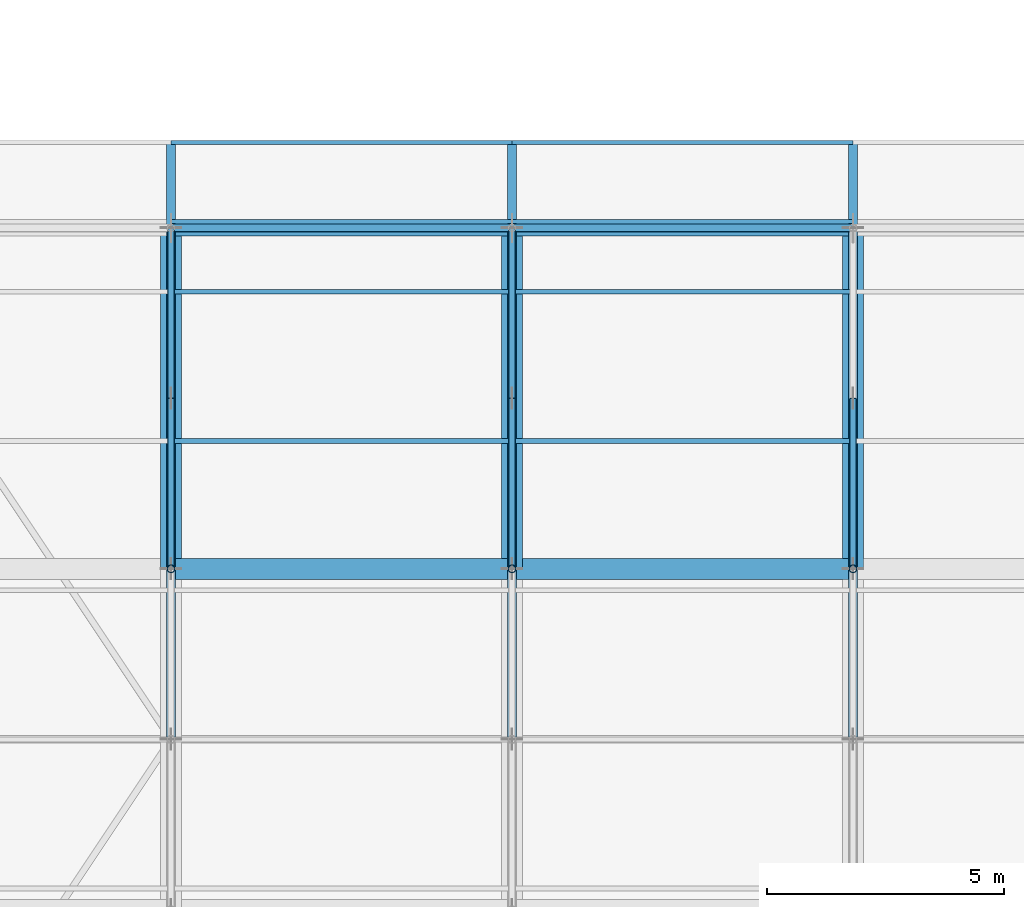
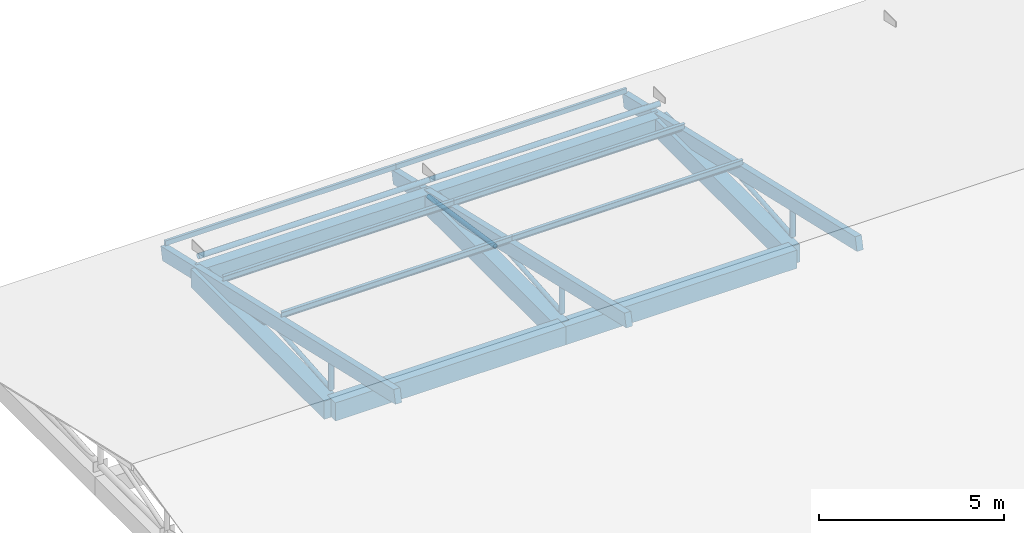
# One storey, part 56 of 93: 19 members, 7 beams.
"""IFC4 building model written with IfcOpenShell, lengths in metres."""

from ifc_helpers import new_model, si_unit, direction, frame, origin, origin_2d, place, context, subcontext, project, spatial, rectangle, hollow_rectangle, hollow_circle, i_section, extrude, material, material_profile, profile_set, type_object, element, save


model = new_model("IFC4")

# Units and contexts
model_context = context("Model", 3, precision=1e-05, world=origin(), true_north=direction((0.0, 1.0)))
body_context = subcontext(model_context, "Body", "Model", "MODEL_VIEW")
ifc_project = project(units=[si_unit("LENGTHUNIT", "METRE"), si_unit("AREAUNIT", "SQUARE_METRE"), si_unit("VOLUMEUNIT", "CUBIC_METRE"), si_unit("PLANEANGLEUNIT", "RADIAN"), si_unit("MASSUNIT", "GRAM", prefix="KILO")], contexts=[model_context])

# Site, building, storey
site_placement = place(None, origin())
site = spatial("IfcSite", under=ifc_project, at=site_placement, CompositionType="ELEMENT")
building_placement = place(site_placement, origin())
building = spatial("IfcBuilding", under=site, at=building_placement, Name="Zornivar Specialist Clinic", CompositionType="ELEMENT")
storey_placement = place(building_placement, frame((0.0, 0.0, 8.39990234375)))
storey = spatial("IfcBuildingStorey", under=building, at=storey_placement, Name="L02", CompositionType="ELEMENT", Elevation=8.39990234375)

# Beams
ifc_material_1 = material(Name="Concrete C30/37", Category="concrete")
ifc_material_profile_1 = material_profile(ifc_material_1, rectangle(XDim=0.43994140625, YDim=0.60009765625, at=origin_2d()), Name="RC 440x600")
ifc_profile_set_1 = profile_set([ifc_material_profile_1], Name="Concrete C30/37")
beam_type_1 = type_object("IfcBeamType", Name="BM-RC-440x600", PredefinedType="BEAM", material=ifc_profile_set_1)
for number, where, z_axis, x_axis, name in (
    (1, (129.60009765625, 14.39990234375, -0.2998046875), (1.0, 0.0, 0.0), (0.0, 1.0, 0.0), "bm:V4:L02:x:144:1"),
    (2, (136.800048828125, 14.39990234375, -0.2998046875), (1.0, 0.0, 0.0), (0.0, 1.0, 0.0), "bm:V4:L02:x:144:2"),
):
    element("IfcBeam", number, at=place(storey_placement, frame(where, z_axis=z_axis, x_axis=x_axis)), inside=storey, type_object=beam_type_1, Name=name, PredefinedType="BEAM", context=body_context, shape_type="SweptSolid", body=[
        extrude(rectangle(XDim=0.43994140625, YDim=0.60009765625, at=origin_2d()), origin(), (0.0, 0.0, 1.0), 7.199951171875),
    ])
for number, where, z_axis, x_axis, name in (
    (3, (129.60009765625, 14.39990234375, -0.2998046875), (0.0, 1.0, 0.0), (-1.0, 0.0, 0.0), "bm:V4:L02:y:1296:2"),
    (4, (136.800048828125, 14.39990234375, -0.2998046875), (0.0, 1.0, 0.0), (-1.0, 0.0, 0.0), "bm:V4:L02:y:1368:2"),
    (5, (144.0, 14.39990234375, -0.2998046875), (0.0, 1.0, 0.0), (-1.0, 0.0, 0.0), "bm:V4:L02:y:1440:2"),
):
    element("IfcBeam", number, at=place(storey_placement, frame(where, z_axis=z_axis, x_axis=x_axis)), inside=storey, type_object=beam_type_1, Name=name, PredefinedType="BEAM", context=body_context, shape_type="SweptSolid", body=[
        extrude(rectangle(XDim=0.43994140625, YDim=0.60009765625, at=origin_2d()), origin(), (0.0, 0.0, 1.0), 7.2001953125),
    ])
ifc_material_2 = material(Name="Concrete C30/37", Category="concrete")
ifc_material_profile_2 = material_profile(ifc_material_2, rectangle(XDim=0.35009765625, YDim=0.60009765625, at=origin_2d()), Name="RC 350x600")
ifc_profile_set_2 = profile_set([ifc_material_profile_2], Name="Concrete C30/37")
beam_type_2 = type_object("IfcBeamType", Name="BM-RC-SPANDREL-350x600", PredefinedType="SPANDREL", material=ifc_profile_set_2)
for number, where, z_axis, x_axis, name in (
    (6, (129.60009765625, 21.60009765625, -0.2998046875), (1.0, 0.0, 0.0), (0.0, 1.0, 0.0), "bm:V4:L02:x:216:1"),
    (7, (136.800048828125, 21.60009765625, -0.2998046875), (1.0, 0.0, 0.0), (0.0, 1.0, 0.0), "bm:V4:L02:x:216:2"),
):
    element("IfcBeam", number, at=place(storey_placement, frame(where, z_axis=z_axis, x_axis=x_axis)), inside=storey, type_object=beam_type_2, Name=name, PredefinedType="SPANDREL", context=body_context, shape_type="SweptSolid", body=[
        extrude(rectangle(XDim=0.35009765625, YDim=0.60009765625, at=origin_2d()), origin(), (0.0, 0.0, 1.0), 7.199951171875),
    ])

# Members
ifc_material_3 = material(Name="Steel S355J2", Category="steel")
ifc_material_profile_3 = material_profile(ifc_material_3, hollow_circle(Radius=0.06982421875, WallThickness=0.008056640625, at=origin_2d()), Name="CHS 139.7x8")
ifc_profile_set_3 = profile_set([ifc_material_profile_3], Name="Steel S355J2")
member_type_1 = type_object("IfcMemberType", Name="MEM-DIAG-CHS140", PredefinedType="BRACE", material=ifc_profile_set_3)
for number, where, z_axis, x_axis, name in (
    (8, (129.60009765625, 14.39990234375, 0.340087890625), (0.0, 0.996883055642, 0.078893430485), (-1.0, 0.0, 0.0), "mem:V4:L02:diag:1:N:1"),
    (9, (136.800048828125, 14.39990234375, 0.340087890625), (0.0, 0.996883055642, 0.078893430485), (-1.0, 0.0, 0.0), "mem:V4:L02:diag:2:N:1"),
    (10, (144.0, 14.39990234375, 0.340087890625), (0.0, 0.996883055642, 0.078893430485), (-1.0, 0.0, 0.0), "mem:V4:L02:diag:3:N:1"),
):
    element("IfcMember", number, at=place(storey_placement, frame(where, z_axis=z_axis, x_axis=x_axis)), inside=storey, type_object=member_type_1, Name=name, PredefinedType="BRACE", context=body_context, shape_type="SweptSolid", body=[
        extrude(hollow_circle(Radius=0.06982421875, WallThickness=0.008056640625, at=origin_2d()), origin(), (0.0, 0.0, 1.0), 3.611328125),
    ])
ifc_material_4 = material(Name="Steel S355J2", Category="steel")
ifc_material_profile_4 = material_profile(ifc_material_4, hollow_circle(Radius=0.06982421875, WallThickness=0.010009765625, at=origin_2d()), Name="CHS 139.7x10")
ifc_profile_set_4 = profile_set([ifc_material_profile_4], Name="Steel S355J2")
member_type_2 = type_object("IfcMemberType", Name="MEM-DIAG-CHS140H", PredefinedType="BRACE", material=ifc_profile_set_4)
for number, where, z_axis, x_axis, name in (
    (11, (129.60009765625, 18.0, 0.340087890625), (0.0, 0.988817004891, -0.149133935906), (-1.0, 0.0, 0.0), "mem:V4:L02:diag:1:N:2"),
    (12, (136.800048828125, 18.0, 0.340087890625), (0.0, 0.988817004891, -0.149133935906), (-1.0, 0.0, 0.0), "mem:V4:L02:diag:2:N:2"),
):
    element("IfcMember", number, at=place(storey_placement, frame(where, z_axis=z_axis, x_axis=x_axis)), inside=storey, type_object=member_type_2, Name=name, PredefinedType="BRACE", context=body_context, shape_type="SweptSolid", body=[
        extrude(hollow_circle(Radius=0.06982421875, WallThickness=0.010009765625, at=origin_2d()), origin(), (0.0, 0.0, 1.0), 3.640869140625),
    ])
ifc_material_5 = material(Name="Steel S355J2", Category="steel")
ifc_material_profile_5 = material_profile(ifc_material_5, hollow_rectangle(XDim=0.080078125, YDim=0.159912109375, WallThickness=0.008056640625, at=origin_2d()), Name="RHS 160x80x8")
ifc_profile_set_5 = profile_set([ifc_material_profile_5], Name="Steel S355J2")
member_type_3 = type_object("IfcMemberType", Name="MEM-EAVE-RHS160", PredefinedType="USERDEFINED", material=ifc_profile_set_5)
for number, where, z_axis, x_axis, name in (
    (13, (129.60009765625, 23.39990234375, -0.305908203125), (1.0, 0.0, 0.0), (0.0, 1.0, 0.0), "mem:V4:L02:purl:1:08"),
    (14, (136.800048828125, 23.39990234375, -0.305908203125), (1.0, 0.0, 0.0), (0.0, 1.0, 0.0), "mem:V4:L02:purl:2:08"),
):
    element("IfcMember", number, at=place(storey_placement, frame(where, z_axis=z_axis, x_axis=x_axis)), inside=storey, type_object=member_type_3, Name=name, ObjectType="EAVE RAFTER", PredefinedType="USERDEFINED", context=body_context, shape_type="SweptSolid", body=[
        extrude(hollow_rectangle(XDim=0.080078125, YDim=0.159912109375, WallThickness=0.008056640625, at=origin_2d()), origin(), (0.0, 0.0, 1.0), 7.199951171875),
    ])
ifc_material_6 = material(Name="Steel S355J2", Category="steel")
ifc_material_profile_6 = material_profile(ifc_material_6, i_section(OverallWidth=0.10009765625, OverallDepth=0.199951171875, WebThickness=0.005615234375, FlangeThickness=0.008544921875, FilletRadius=0.011962890625, at=origin_2d()), Name="IPE 200")
ifc_profile_set_6 = profile_set([ifc_material_profile_6], Name="Steel S355J2")
member_type_4 = type_object("IfcMemberType", Name="MEM-PURLIN-IPE200", PredefinedType="PURLIN", material=ifc_profile_set_6)
for number, where, z_axis, x_axis, name in (
    (15, (129.60009765625, 17.10009765625, 1.14404296875), (1.0, 0.0, 0.0), (0.0, 1.0, 0.0), "mem:V4:L02:purl:1:06"),
    (16, (129.60009765625, 20.25, 0.419189453125), (1.0, 0.0, 0.0), (0.0, 1.0, 0.0), "mem:V4:L02:purl:1:07"),
    (17, (136.800048828125, 17.10009765625, 1.14404296875), (1.0, 0.0, 0.0), (0.0, 1.0, 0.0), "mem:V4:L02:purl:2:06"),
    (18, (136.800048828125, 20.25, 0.419189453125), (1.0, 0.0, 0.0), (0.0, 1.0, 0.0), "mem:V4:L02:purl:2:07"),
):
    element("IfcMember", number, at=place(storey_placement, frame(where, z_axis=z_axis, x_axis=x_axis)), inside=storey, type_object=member_type_4, Name=name, PredefinedType="PURLIN", context=body_context, shape_type="SweptSolid", body=[
        extrude(i_section(OverallWidth=0.10009765625, OverallDepth=0.199951171875, WebThickness=0.005615234375, FlangeThickness=0.008544921875, FilletRadius=0.011962890625, at=origin_2d()), origin(), (0.0, 0.0, 1.0), 7.199951171875),
    ])
ifc_material_7 = material(Name="Glulam GL28h", Category="wood")
ifc_material_profile_7 = material_profile(ifc_material_7, rectangle(XDim=0.199951171875, YDim=0.43994140625, at=origin_2d()), Name="GL28h 200x440")
ifc_profile_set_7 = profile_set([ifc_material_profile_7], Name="Glulam GL28h")
member_type_5 = type_object("IfcMemberType", Name="MEM-RAFTER-GL440", PredefinedType="RAFTER", material=ifc_profile_set_7)
for number, where, z_axis, x_axis, name in (
    (19, (129.60009765625, 23.39990234375, -0.617919921875), (0.0, -0.974522466256, 0.224289907849), (1.0, 0.0, 0.0), "mem:V4:L02:rafN:1"),
    (20, (136.800048828125, 23.39990234375, -0.617919921875), (0.0, -0.974522466256, 0.224289907849), (1.0, 0.0, 0.0), "mem:V4:L02:rafN:2"),
    (21, (144.0, 23.39990234375, -0.617919921875), (0.0, -0.974522466256, 0.224289907849), (1.0, 0.0, 0.0), "mem:V4:L02:rafN:3"),
):
    element("IfcMember", number, at=place(storey_placement, frame(where, z_axis=z_axis, x_axis=x_axis)), inside=storey, type_object=member_type_5, Name=name, PredefinedType="RAFTER", context=body_context, shape_type="SweptSolid", body=[
        extrude(rectangle(XDim=0.199951171875, YDim=0.43994140625, at=origin_2d()), origin(), (0.0, 0.0, 1.0), 12.92919921875),
    ])
ifc_material_8 = material(Name="Steel S355J2", Category="steel")
ifc_material_profile_8 = material_profile(ifc_material_8, hollow_circle(Radius=0.084228515625, WallThickness=0.010009765625, at=origin_2d()), Name="CHS 168.3x10")
ifc_profile_set_8 = profile_set([ifc_material_profile_8], Name="Steel S355J2")
member_type_6 = type_object("IfcMemberType", Name="MEM-STRUT-CHS168", PredefinedType="STRUT", material=ifc_profile_set_8)
for number, where, z_axis, x_axis, name in (
    (22, (129.60009765625, 14.39990234375, 0.340087890625), (0.0, 0.0, 1.0), (1.0, 0.0, 0.0), "mem:V4:L02:vert:1:N:1"),
    (23, (136.800048828125, 14.39990234375, 0.340087890625), (0.0, 0.0, 1.0), (1.0, 0.0, 0.0), "mem:V4:L02:vert:2:N:1"),
    (24, (144.0, 14.39990234375, 0.340087890625), (0.0, 0.0, 1.0), (1.0, 0.0, 0.0), "mem:V4:L02:vert:3:N:1"),
):
    element("IfcMember", number, at=place(storey_placement, frame(where, z_axis=z_axis, x_axis=x_axis)), inside=storey, type_object=member_type_6, Name=name, PredefinedType="STRUT", context=body_context, shape_type="SweptSolid", body=[
        extrude(hollow_circle(Radius=0.084228515625, WallThickness=0.010009765625, at=origin_2d()), origin(), (0.0, 0.0, 1.0), 1.114013671875),
    ])
for number, where, z_axis, x_axis, name in (
    (25, (129.60009765625, 21.60009765625, 0.340087890625), (1.0, 0.0, 0.0), (0.0, 1.0, 0.0), "mem:V4:L02:ltieN:1"),
    (26, (136.800048828125, 21.60009765625, 0.340087890625), (1.0, 0.0, 0.0), (0.0, 1.0, 0.0), "mem:V4:L02:ltieN:2"),
):
    element("IfcMember", number, at=place(storey_placement, frame(where, z_axis=z_axis, x_axis=x_axis)), inside=storey, type_object=member_type_6, Name=name, PredefinedType="STRUT", context=body_context, shape_type="SweptSolid", body=[
        extrude(hollow_circle(Radius=0.084228515625, WallThickness=0.010009765625, at=origin_2d()), origin(), (0.0, 0.0, 1.0), 7.199951171875),
    ])

save(model, "model.ifc")
